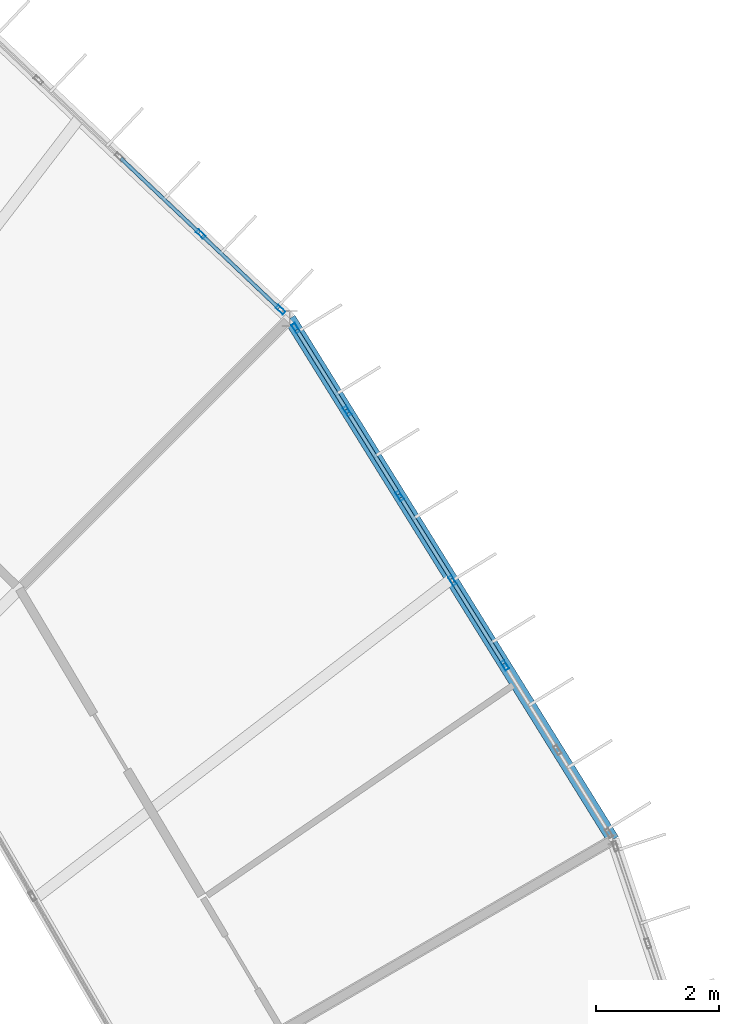
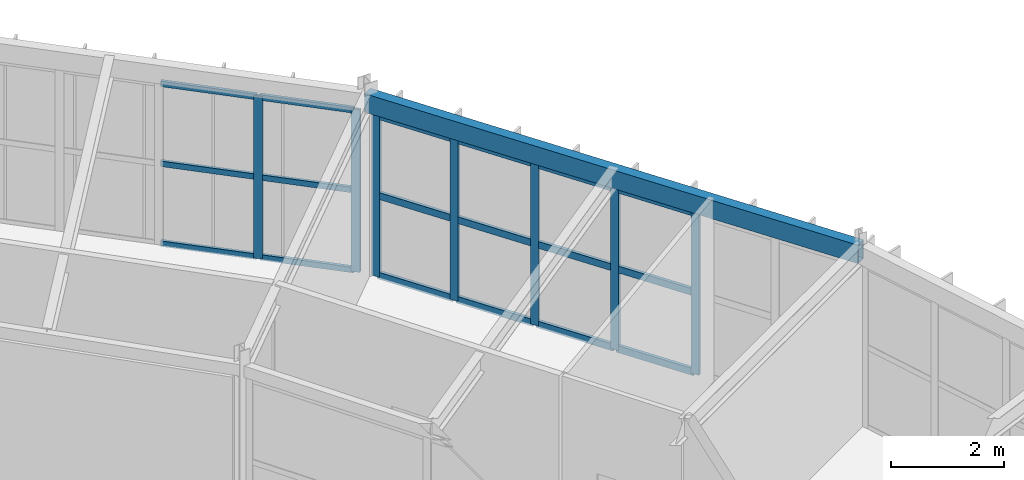
# One storey, part 36 of 66: 25 members, 1 beam, 2 elements without a shape of their own.
"""IFC4 building model written with IfcOpenShell, lengths in metres."""

from ifc_helpers import new_model, si_unit, direction, frame, origin, origin_2d, place, context, subcontext, project, spatial, hollow_rectangle, extrude, material, material_profile, profile_set, type_object, element, aggregate, save


model = new_model("IFC4")

# Units and contexts
model_context = context("Model", 3, precision=1e-05, world=origin(), true_north=direction((0.0, 1.0)))
body_context = subcontext(model_context, "Body", "Model", "MODEL_VIEW")
ifc_project = project(units=[si_unit("LENGTHUNIT", "METRE"), si_unit("AREAUNIT", "SQUARE_METRE"), si_unit("VOLUMEUNIT", "CUBIC_METRE"), si_unit("PLANEANGLEUNIT", "RADIAN"), si_unit("MASSUNIT", "GRAM", prefix="KILO")], contexts=[model_context])

# Site, building, storey
site_placement = place(None, origin())
site = spatial("IfcSite", under=ifc_project, at=site_placement, CompositionType="ELEMENT")
building_placement = place(site_placement, origin())
building = spatial("IfcBuilding", under=site, at=building_placement, Name="Karori Crest Natural Sciences Institute", CompositionType="ELEMENT")
storey_placement = place(building_placement, frame((0.0, 0.0, 30.10009765625)))
storey = spatial("IfcBuildingStorey", under=building, at=storey_placement, Name="L07", CompositionType="ELEMENT", Elevation=30.10009765625)

# Beam
ifc_material_1 = material(Name="Hollow structural steel AS/NZS 1163 Grade C350", Category="steel")
ifc_material_profile_1 = material_profile(ifc_material_1, hollow_rectangle(XDim=0.199951171875, YDim=0.39990234375, WallThickness=0.012451171875, at=origin_2d()), Name="RHS400x200x12.5")
ifc_profile_set_1 = profile_set([ifc_material_profile_1], Name="Hollow structural steel AS/NZS 1163 Grade C350")
beam_type = type_object("IfcBeamType", Name="BT-14", PredefinedType="SPANDREL", material=ifc_profile_set_1)
beam_placement = place(storey_placement, frame((94.978759765625, 70.300048828125, 3.739990234375), z_axis=(-0.527315195609, 0.849669750244, 0.0), x_axis=(-0.849669750244, -0.527315195609, 0.0)))
element("IfcBeam", 1, at=beam_placement, inside=storey, type_object=beam_type, Name="Beam B-0650", PredefinedType="SPANDREL", context=body_context, shape_type="SweptSolid", body=[
    extrude(hollow_rectangle(XDim=0.199951171875, YDim=0.39990234375, WallThickness=0.012451171875, at=origin_2d()), origin(), (0.0, 0.0, 1.0), 9.945068359375),
])

# Curtain wall, members
ifc_material_2 = material(Name="Anodised architectural aluminium 6063-T6", Category="aluminium")
curtain_wall_type_1 = type_object("IfcCurtainWallType", Name="CWT-03", PredefinedType="NOTDEFINED", material=ifc_material_2)
curtain_wall_1_placement = place(storey_placement, origin())
curtain_wall_1 = element("IfcCurtainWall", 2, at=curtain_wall_1_placement, inside=storey, type_object=curtain_wall_type_1, Name="Curtain wall CW-0246", PredefinedType="NOTDEFINED")
ifc_material_profile_2 = material_profile(ifc_material_2, hollow_rectangle(XDim=0.06494140625, YDim=0.159912109375, WallThickness=0.00390625, at=origin_2d()), Name="CWM160x65x4")
ifc_profile_set_2 = profile_set([ifc_material_profile_2], Name="Anodised architectural aluminium 6063-T6")
member_type_1 = type_object("IfcMemberType", Name="CWM-01", PredefinedType="MULLION", material=ifc_profile_set_2)
member_1_placement = place(storey_placement, frame((89.831298828125, 78.593994140625, 0.0), z_axis=(0.0, 0.0, 1.0), x_axis=(0.849661985715, 0.527327706489, 0.0)))
member_1 = element("IfcMember", 3, at=member_1_placement, type_object=member_type_1, Name="CW-0246 mullion 1", PredefinedType="MULLION", context=body_context, shape_type="SweptSolid", body=[
    extrude(hollow_rectangle(XDim=0.06494140625, YDim=0.159912109375, WallThickness=0.00390625, at=origin_2d()), origin(), (0.0, 0.0, 1.0), 3.52490234375),
])
member_2_placement = place(storey_placement, frame((90.666748046875, 77.248046875, 0.0), z_axis=(0.0, 0.0, 1.0), x_axis=(0.849661985715, 0.527327706489, 0.0)))
member_2 = element("IfcMember", 4, at=member_2_placement, type_object=member_type_1, Name="CW-0246 mullion 2", PredefinedType="MULLION", context=body_context, shape_type="SweptSolid", body=[
    extrude(hollow_rectangle(XDim=0.06494140625, YDim=0.159912109375, WallThickness=0.00390625, at=origin_2d()), origin(), (0.0, 0.0, 1.0), 3.52490234375),
])
member_3_placement = place(storey_placement, frame((91.519287109375, 75.874267578125, 0.0), z_axis=(0.0, 0.0, 1.0), x_axis=(0.849661985715, 0.527327706489, 0.0)))
member_3 = element("IfcMember", 5, at=member_3_placement, type_object=member_type_1, Name="CW-0246 mullion 3", PredefinedType="MULLION", context=body_context, shape_type="SweptSolid", body=[
    extrude(hollow_rectangle(XDim=0.06494140625, YDim=0.159912109375, WallThickness=0.00390625, at=origin_2d()), origin(), (0.0, 0.0, 1.0), 3.52490234375),
])
member_4_placement = place(storey_placement, frame((92.371826171875, 74.50048828125, 0.0), z_axis=(0.0, 0.0, 1.0), x_axis=(0.849661985715, 0.527327706489, 0.0)))
member_4 = element("IfcMember", 6, at=member_4_placement, type_object=member_type_1, Name="CW-0246 mullion 4", PredefinedType="MULLION", context=body_context, shape_type="SweptSolid", body=[
    extrude(hollow_rectangle(XDim=0.06494140625, YDim=0.159912109375, WallThickness=0.00390625, at=origin_2d()), origin(), (0.0, 0.0, 1.0), 3.52490234375),
])
member_5_placement = place(storey_placement, frame((93.224365234375, 73.126708984375, 0.0), z_axis=(0.0, 0.0, 1.0), x_axis=(0.849661985715, 0.527327706489, 0.0)))
member_5 = element("IfcMember", 7, at=member_5_placement, type_object=member_type_1, Name="CW-0246 mullion 5", PredefinedType="MULLION", context=body_context, shape_type="SweptSolid", body=[
    extrude(hollow_rectangle(XDim=0.06494140625, YDim=0.159912109375, WallThickness=0.00390625, at=origin_2d()), origin(), (0.0, 0.0, 1.0), 3.52490234375),
])

curtain_wall_type_2 = type_object("IfcCurtainWallType", Name="CWT-04", PredefinedType="NOTDEFINED", material=ifc_material_2)
curtain_wall_2_placement = place(storey_placement, origin())
curtain_wall_2 = element("IfcCurtainWall", 8, at=curtain_wall_2_placement, inside=storey, type_object=curtain_wall_type_2, Name="Curtain wall CW-0248", PredefinedType="NOTDEFINED")
member_6_placement = place(storey_placement, frame((88.29150390625, 80.118896484375, 0.0), z_axis=(0.0, 0.0, 1.0), x_axis=(0.688252251648, 0.725471459192, 0.0)))
member_6 = element("IfcMember", 9, at=member_6_placement, type_object=member_type_1, Name="CW-0248 mullion 5", PredefinedType="MULLION", context=body_context, shape_type="SweptSolid", body=[
    extrude(hollow_rectangle(XDim=0.06494140625, YDim=0.159912109375, WallThickness=0.00390625, at=origin_2d()), origin(), (0.0, 0.0, 1.0), 3.52490234375),
])
member_7_placement = place(storey_placement, frame((89.58447265625, 78.892333984375, 0.0), z_axis=(0.0, 0.0, 1.0), x_axis=(0.688252251648, 0.725471459192, 0.0)))
member_7 = element("IfcMember", 10, at=member_7_placement, type_object=member_type_1, Name="CW-0248 mullion 6", PredefinedType="MULLION", context=body_context, shape_type="SweptSolid", body=[
    extrude(hollow_rectangle(XDim=0.06494140625, YDim=0.159912109375, WallThickness=0.00390625, at=origin_2d()), origin(), (0.0, 0.0, 1.0), 3.52490234375),
])
ifc_material_profile_3 = material_profile(ifc_material_2, hollow_rectangle(XDim=0.06005859375, YDim=0.1201171875, WallThickness=0.00390625, at=origin_2d()), Name="CWT120x60x4")
ifc_profile_set_3 = profile_set([ifc_material_profile_3], Name="Anodised architectural aluminium 6063-T6")
member_type_2 = type_object("IfcMemberType", Name="CWT-TR1", PredefinedType="USERDEFINED", material=ifc_profile_set_3)
member_8_placement = place(storey_placement, frame((86.99853515625, 81.345458984375, 0.02978515625), z_axis=(0.725490496247, -0.688232184553, 0.0), x_axis=(0.688232184553, 0.725490496247, 0.0)))
member_8 = element("IfcMember", 11, at=member_8_placement, type_object=member_type_2, Name="CW-0248 transom 4.1", ObjectType="TRANSOM", PredefinedType="USERDEFINED", context=body_context, shape_type="SweptSolid", body=[
    extrude(hollow_rectangle(XDim=0.06005859375, YDim=0.1201171875, WallThickness=0.00390625, at=origin_2d()), origin(), (0.0, 0.0, 1.0), 1.74951171875),
])
member_9_placement = place(storey_placement, frame((86.99853515625, 81.345458984375, 1.762451171875), z_axis=(0.725490496247, -0.688232184553, 0.0), x_axis=(0.688232184553, 0.725490496247, 0.0)))
member_9 = element("IfcMember", 12, at=member_9_placement, type_object=member_type_2, Name="CW-0248 transom 4.2", ObjectType="TRANSOM", PredefinedType="USERDEFINED", context=body_context, shape_type="SweptSolid", body=[
    extrude(hollow_rectangle(XDim=0.06005859375, YDim=0.1201171875, WallThickness=0.00390625, at=origin_2d()), origin(), (0.0, 0.0, 1.0), 1.74951171875),
])
member_10_placement = place(storey_placement, frame((86.99853515625, 81.345458984375, 3.494873046875), z_axis=(0.725490496247, -0.688232184553, 0.0), x_axis=(0.688232184553, 0.725490496247, 0.0)))
member_10 = element("IfcMember", 13, at=member_10_placement, type_object=member_type_2, Name="CW-0248 transom 4.3", ObjectType="TRANSOM", PredefinedType="USERDEFINED", context=body_context, shape_type="SweptSolid", body=[
    extrude(hollow_rectangle(XDim=0.06005859375, YDim=0.1201171875, WallThickness=0.00390625, at=origin_2d()), origin(), (0.0, 0.0, 1.0), 1.74951171875),
])
member_11_placement = place(storey_placement, frame((88.315185546875, 80.0966796875, 0.02978515625), z_axis=(0.725418188491, -0.688308398762, 0.0), x_axis=(0.688308398762, 0.725418188491, 0.0)))
member_11 = element("IfcMember", 14, at=member_11_placement, type_object=member_type_2, Name="CW-0248 transom 5.1", ObjectType="TRANSOM", PredefinedType="USERDEFINED", context=body_context, shape_type="SweptSolid", body=[
    extrude(hollow_rectangle(XDim=0.06005859375, YDim=0.1201171875, WallThickness=0.00390625, at=origin_2d()), origin(), (0.0, 0.0, 1.0), 1.717041015625),
])
member_12_placement = place(storey_placement, frame((88.315185546875, 80.0966796875, 1.762451171875), z_axis=(0.725418188491, -0.688308398762, 0.0), x_axis=(0.688308398762, 0.725418188491, 0.0)))
member_12 = element("IfcMember", 15, at=member_12_placement, type_object=member_type_2, Name="CW-0248 transom 5.2", ObjectType="TRANSOM", PredefinedType="USERDEFINED", context=body_context, shape_type="SweptSolid", body=[
    extrude(hollow_rectangle(XDim=0.06005859375, YDim=0.1201171875, WallThickness=0.00390625, at=origin_2d()), origin(), (0.0, 0.0, 1.0), 1.717041015625),
])
member_13_placement = place(storey_placement, frame((88.315185546875, 80.0966796875, 3.494873046875), z_axis=(0.725418188491, -0.688308398762, 0.0), x_axis=(0.688308398762, 0.725418188491, 0.0)))
member_13 = element("IfcMember", 16, at=member_13_placement, type_object=member_type_2, Name="CW-0248 transom 5.3", ObjectType="TRANSOM", PredefinedType="USERDEFINED", context=body_context, shape_type="SweptSolid", body=[
    extrude(hollow_rectangle(XDim=0.06005859375, YDim=0.1201171875, WallThickness=0.00390625, at=origin_2d()), origin(), (0.0, 0.0, 1.0), 1.717041015625),
])
aggregate(curtain_wall_2, [member_6, member_7, member_8, member_9, member_10, member_11, member_12, member_13])

# Member
ifc_material_profile_4 = material_profile(ifc_material_2, hollow_rectangle(XDim=0.06494140625, YDim=0.14990234375, WallThickness=0.00390625, at=origin_2d()), Name="CWT150x65x4")
ifc_profile_set_4 = profile_set([ifc_material_profile_4], Name="Anodised architectural aluminium 6063-T6")
member_type_3 = type_object("IfcMemberType", Name="CWT-TR2", PredefinedType="USERDEFINED", material=ifc_profile_set_4)
member_14_placement = place(storey_placement, frame((89.848388671875, 78.56640625, 0.032470703125), z_axis=(0.527410863432, -0.84961037019, 0.0), x_axis=(0.84961037019, 0.527410863432, 0.0)))
member_14 = element("IfcMember", 17, at=member_14_placement, type_object=member_type_3, Name="CW-0246 transom 1.1", ObjectType="TRANSOM", PredefinedType="USERDEFINED", context=body_context, shape_type="SweptSolid", body=[
    extrude(hollow_rectangle(XDim=0.06494140625, YDim=0.14990234375, WallThickness=0.00390625, at=origin_2d()), origin(), (0.0, 0.0, 1.0), 1.519287109375),
])

member_15_placement = place(storey_placement, frame((89.848388671875, 78.56640625, 1.762451171875), z_axis=(0.527410863432, -0.84961037019, 0.0), x_axis=(0.84961037019, 0.527410863432, 0.0)))
member_15 = element("IfcMember", 18, at=member_15_placement, type_object=member_type_3, Name="CW-0246 transom 1.2", ObjectType="TRANSOM", PredefinedType="USERDEFINED", context=body_context, shape_type="SweptSolid", body=[
    extrude(hollow_rectangle(XDim=0.06494140625, YDim=0.14990234375, WallThickness=0.00390625, at=origin_2d()), origin(), (0.0, 0.0, 1.0), 1.519287109375),
])

member_16_placement = place(storey_placement, frame((89.848388671875, 78.56640625, 3.492431640625), z_axis=(0.527410863432, -0.84961037019, 0.0), x_axis=(0.84961037019, 0.527410863432, 0.0)))
member_16 = element("IfcMember", 19, at=member_16_placement, type_object=member_type_3, Name="CW-0246 transom 1.3", ObjectType="TRANSOM", PredefinedType="USERDEFINED", context=body_context, shape_type="SweptSolid", body=[
    extrude(hollow_rectangle(XDim=0.06494140625, YDim=0.14990234375, WallThickness=0.00390625, at=origin_2d()), origin(), (0.0, 0.0, 1.0), 1.519287109375),
])

member_17_placement = place(storey_placement, frame((90.683837890625, 77.220458984375, 0.032470703125), z_axis=(0.527323700977, -0.849664471652, 0.0), x_axis=(0.849664471652, 0.527323700977, 0.0)))
member_17 = element("IfcMember", 20, at=member_17_placement, type_object=member_type_3, Name="CW-0246 transom 2.1", ObjectType="TRANSOM", PredefinedType="USERDEFINED", context=body_context, shape_type="SweptSolid", body=[
    extrude(hollow_rectangle(XDim=0.06494140625, YDim=0.14990234375, WallThickness=0.00390625, at=origin_2d()), origin(), (0.0, 0.0, 1.0), 1.552001953125),
])

member_18_placement = place(storey_placement, frame((90.683837890625, 77.220458984375, 1.762451171875), z_axis=(0.527323700977, -0.849664471652, 0.0), x_axis=(0.849664471652, 0.527323700977, 0.0)))
member_18 = element("IfcMember", 21, at=member_18_placement, type_object=member_type_3, Name="CW-0246 transom 2.2", ObjectType="TRANSOM", PredefinedType="USERDEFINED", context=body_context, shape_type="SweptSolid", body=[
    extrude(hollow_rectangle(XDim=0.06494140625, YDim=0.14990234375, WallThickness=0.00390625, at=origin_2d()), origin(), (0.0, 0.0, 1.0), 1.552001953125),
])

member_19_placement = place(storey_placement, frame((90.683837890625, 77.220458984375, 3.492431640625), z_axis=(0.527323700977, -0.849664471652, 0.0), x_axis=(0.849664471652, 0.527323700977, 0.0)))
member_19 = element("IfcMember", 22, at=member_19_placement, type_object=member_type_3, Name="CW-0246 transom 2.3", ObjectType="TRANSOM", PredefinedType="USERDEFINED", context=body_context, shape_type="SweptSolid", body=[
    extrude(hollow_rectangle(XDim=0.06494140625, YDim=0.14990234375, WallThickness=0.00390625, at=origin_2d()), origin(), (0.0, 0.0, 1.0), 1.552001953125),
])

member_20_placement = place(storey_placement, frame((91.536376953125, 75.8466796875, 0.032470703125), z_axis=(0.527323700977, -0.849664471652, 0.0), x_axis=(0.849664471652, 0.527323700977, 0.0)))
member_20 = element("IfcMember", 23, at=member_20_placement, type_object=member_type_3, Name="CW-0246 transom 3.1", ObjectType="TRANSOM", PredefinedType="USERDEFINED", context=body_context, shape_type="SweptSolid", body=[
    extrude(hollow_rectangle(XDim=0.06494140625, YDim=0.14990234375, WallThickness=0.00390625, at=origin_2d()), origin(), (0.0, 0.0, 1.0), 1.552001953125),
])

member_21_placement = place(storey_placement, frame((91.536376953125, 75.8466796875, 1.762451171875), z_axis=(0.527323700977, -0.849664471652, 0.0), x_axis=(0.849664471652, 0.527323700977, 0.0)))
member_21 = element("IfcMember", 24, at=member_21_placement, type_object=member_type_3, Name="CW-0246 transom 3.2", ObjectType="TRANSOM", PredefinedType="USERDEFINED", context=body_context, shape_type="SweptSolid", body=[
    extrude(hollow_rectangle(XDim=0.06494140625, YDim=0.14990234375, WallThickness=0.00390625, at=origin_2d()), origin(), (0.0, 0.0, 1.0), 1.552001953125),
])

member_22_placement = place(storey_placement, frame((91.536376953125, 75.8466796875, 3.492431640625), z_axis=(0.527323700977, -0.849664471652, 0.0), x_axis=(0.849664471652, 0.527323700977, 0.0)))
member_22 = element("IfcMember", 25, at=member_22_placement, type_object=member_type_3, Name="CW-0246 transom 3.3", ObjectType="TRANSOM", PredefinedType="USERDEFINED", context=body_context, shape_type="SweptSolid", body=[
    extrude(hollow_rectangle(XDim=0.06494140625, YDim=0.14990234375, WallThickness=0.00390625, at=origin_2d()), origin(), (0.0, 0.0, 1.0), 1.552001953125),
])

member_23_placement = place(storey_placement, frame((92.388916015625, 74.472900390625, 0.032470703125), z_axis=(0.527323700977, -0.849664471652, 0.0), x_axis=(0.849664471652, 0.527323700977, 0.0)))
member_23 = element("IfcMember", 26, at=member_23_placement, type_object=member_type_3, Name="CW-0246 transom 4.1", ObjectType="TRANSOM", PredefinedType="USERDEFINED", context=body_context, shape_type="SweptSolid", body=[
    extrude(hollow_rectangle(XDim=0.06494140625, YDim=0.14990234375, WallThickness=0.00390625, at=origin_2d()), origin(), (0.0, 0.0, 1.0), 1.552001953125),
])

member_24_placement = place(storey_placement, frame((92.388916015625, 74.472900390625, 1.762451171875), z_axis=(0.527323700977, -0.849664471652, 0.0), x_axis=(0.849664471652, 0.527323700977, 0.0)))
member_24 = element("IfcMember", 27, at=member_24_placement, type_object=member_type_3, Name="CW-0246 transom 4.2", ObjectType="TRANSOM", PredefinedType="USERDEFINED", context=body_context, shape_type="SweptSolid", body=[
    extrude(hollow_rectangle(XDim=0.06494140625, YDim=0.14990234375, WallThickness=0.00390625, at=origin_2d()), origin(), (0.0, 0.0, 1.0), 1.552001953125),
])

member_25_placement = place(storey_placement, frame((92.388916015625, 74.472900390625, 3.492431640625), z_axis=(0.527323700977, -0.849664471652, 0.0), x_axis=(0.849664471652, 0.527323700977, 0.0)))
member_25 = element("IfcMember", 28, at=member_25_placement, type_object=member_type_3, Name="CW-0246 transom 4.3", ObjectType="TRANSOM", PredefinedType="USERDEFINED", context=body_context, shape_type="SweptSolid", body=[
    extrude(hollow_rectangle(XDim=0.06494140625, YDim=0.14990234375, WallThickness=0.00390625, at=origin_2d()), origin(), (0.0, 0.0, 1.0), 1.552001953125),
])

aggregate(curtain_wall_1, [member_1, member_2, member_3, member_4, member_5, member_14, member_15, member_16, member_17, member_18, member_19, member_20, member_21, member_22, member_23, member_24, member_25])

save(model, "model.ifc")
